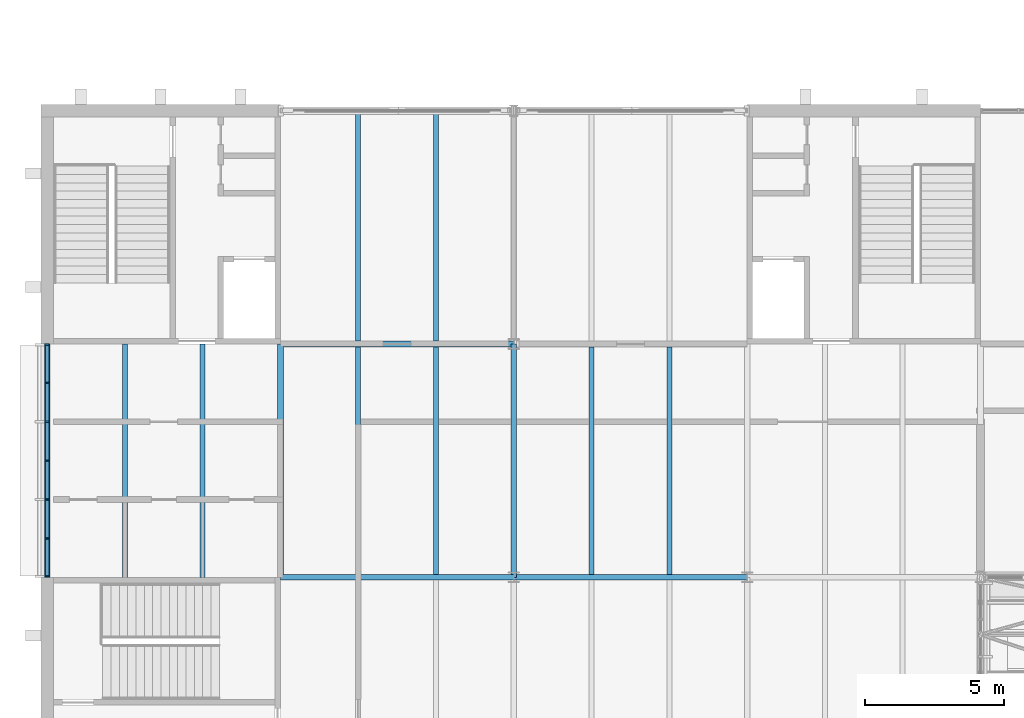
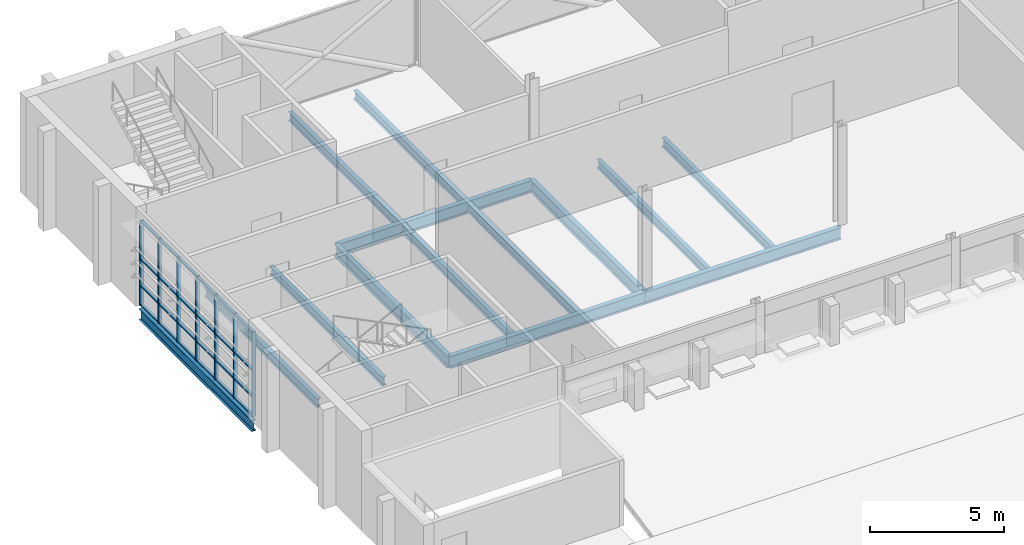
# One storey, part 39 of 121: 31 members, 14 beams, 1 element without a shape of its own.
"""IFC4 building model written with IfcOpenShell, lengths in metres."""

from ifc_helpers import new_model, si_unit, direction, frame, origin, origin_2d, place, context, subcontext, project, spatial, rectangle, i_section, extrude, material, layer, layer_set, material_profile, profile_set, type_object, element, aggregate, save


model = new_model("IFC4")

# Units and contexts
model_context = context("Model", 3, precision=1e-05, world=origin(), true_north=direction((0.0, 1.0)))
body_context = subcontext(model_context, "Body", "Model", "MODEL_VIEW")
ifc_project = project(units=[si_unit("LENGTHUNIT", "METRE"), si_unit("AREAUNIT", "SQUARE_METRE"), si_unit("VOLUMEUNIT", "CUBIC_METRE"), si_unit("PLANEANGLEUNIT", "RADIAN"), si_unit("MASSUNIT", "GRAM", prefix="KILO")], contexts=[model_context])

# Site, building, storey
site_placement = place(None, origin())
site = spatial("IfcSite", under=ifc_project, at=site_placement, CompositionType="ELEMENT")
building_placement = place(site_placement, origin())
building = spatial("IfcBuilding", under=site, at=building_placement, Name="Ardhachandra Cancer Care Centre", CompositionType="ELEMENT")
storey_placement = place(building_placement, frame((0.0, 0.0, 9.0)))
storey = spatial("IfcBuildingStorey", under=building, at=storey_placement, Name="L02", CompositionType="ELEMENT", Elevation=9.0)

# Beams
ifc_material_1 = material(Name="Steel E350 (IS 2062)", Category="steel")
ifc_material_profile_1 = material_profile(ifc_material_1, i_section(OverallWidth=0.179931640625, OverallDepth=0.39990234375, WebThickness=0.008544921875, FlangeThickness=0.013427734375, FilletRadius=0.02099609375, at=origin_2d()), Name="NPB 400x180x66.30")
ifc_profile_set_1 = profile_set([ifc_material_profile_1], Name="Steel E350 (IS 2062)")
beam_type_1 = type_object("IfcBeamType", Name="Beam NPB 400x180x66.30", PredefinedType="BEAM", material=ifc_profile_set_1)
for number, where, z_axis, x_axis, name in (
    (1, (13.60009765625, 79.800048828125, -0.35009765625), (0.0, 1.0, 0.0), (-1.0, 0.0, 0.0), "Secondary J1-K1@2800"),
    (2, (16.39990234375, 79.800048828125, -0.35009765625), (0.0, 1.0, 0.0), (-1.0, 0.0, 0.0), "Secondary J1-K1@5600"),
):
    element("IfcBeam", number, at=place(storey_placement, frame(where, z_axis=z_axis, x_axis=x_axis)), inside=storey, type_object=beam_type_1, Name=name, PredefinedType="BEAM", context=body_context, shape_type="SweptSolid", body=[
        extrude(i_section(OverallWidth=0.179931640625, OverallDepth=0.39990234375, WebThickness=0.008544921875, FlangeThickness=0.013427734375, FilletRadius=0.02099609375, at=origin_2d()), origin(), (0.0, 0.0, 1.0), 8.39990234375),
    ])
beam_1_placement = place(storey_placement, frame((22.0, 79.905029296875, -0.35009765625), z_axis=(0.0, 1.0, 0.0), x_axis=(-1.0, 0.0, 0.0)))
element("IfcBeam", 3, at=beam_1_placement, inside=storey, type_object=beam_type_1, Name="Secondary J2-K2@2800", PredefinedType="BEAM", context=body_context, shape_type="SweptSolid", body=[
    extrude(i_section(OverallWidth=0.179931640625, OverallDepth=0.39990234375, WebThickness=0.008544921875, FlangeThickness=0.013427734375, FilletRadius=0.02099609375, at=origin_2d()), origin(), (0.0, 0.0, 1.0), 8.18994140625),
])
beam_2_placement = place(storey_placement, frame((22.0, 88.304931640625, -0.35009765625), z_axis=(0.0, 1.0, 0.0), x_axis=(-1.0, 0.0, 0.0)))
element("IfcBeam", 4, at=beam_2_placement, inside=storey, type_object=beam_type_1, Name="Secondary K2-L2@2800", PredefinedType="BEAM", context=body_context, shape_type="SweptSolid", body=[
    extrude(i_section(OverallWidth=0.179931640625, OverallDepth=0.39990234375, WebThickness=0.008544921875, FlangeThickness=0.013427734375, FilletRadius=0.02099609375, at=origin_2d()), origin(), (0.0, 0.0, 1.0), 8.195068359375),
])
beam_3_placement = place(storey_placement, frame((24.800048828125, 79.905029296875, -0.35009765625), z_axis=(0.0, 1.0, 0.0), x_axis=(-1.0, 0.0, 0.0)))
element("IfcBeam", 5, at=beam_3_placement, inside=storey, type_object=beam_type_1, Name="Secondary J2-K2@5600", PredefinedType="BEAM", context=body_context, shape_type="SweptSolid", body=[
    extrude(i_section(OverallWidth=0.179931640625, OverallDepth=0.39990234375, WebThickness=0.008544921875, FlangeThickness=0.013427734375, FilletRadius=0.02099609375, at=origin_2d()), origin(), (0.0, 0.0, 1.0), 8.18994140625),
])
beam_4_placement = place(storey_placement, frame((24.800048828125, 88.304931640625, -0.35009765625), z_axis=(0.0, 1.0, 0.0), x_axis=(-1.0, 0.0, 0.0)))
element("IfcBeam", 6, at=beam_4_placement, inside=storey, type_object=beam_type_1, Name="Secondary K2-L2@5600", PredefinedType="BEAM", context=body_context, shape_type="SweptSolid", body=[
    extrude(i_section(OverallWidth=0.179931640625, OverallDepth=0.39990234375, WebThickness=0.008544921875, FlangeThickness=0.013427734375, FilletRadius=0.02099609375, at=origin_2d()), origin(), (0.0, 0.0, 1.0), 8.195068359375),
])
for number, where, z_axis, x_axis, name in (
    (7, (30.39990234375, 79.905029296875, -0.35009765625), (0.0, 1.0, 0.0), (-1.0, 0.0, 0.0), "Secondary J3-K3@2800"),
    (8, (33.199951171875, 79.905029296875, -0.35009765625), (0.0, 1.0, 0.0), (-1.0, 0.0, 0.0), "Secondary J3-K3@5600"),
):
    element("IfcBeam", number, at=place(storey_placement, frame(where, z_axis=z_axis, x_axis=x_axis)), inside=storey, type_object=beam_type_1, Name=name, PredefinedType="BEAM", context=body_context, shape_type="SweptSolid", body=[
        extrude(i_section(OverallWidth=0.179931640625, OverallDepth=0.39990234375, WebThickness=0.008544921875, FlangeThickness=0.013427734375, FilletRadius=0.02099609375, at=origin_2d()), origin(), (0.0, 0.0, 1.0), 8.18994140625),
    ])
ifc_material_2 = material(Name="Steel E350 (IS 2062)", Category="steel")
ifc_material_profile_2 = material_profile(ifc_material_2, i_section(OverallWidth=0.199951171875, OverallDepth=0.5, WebThickness=0.01025390625, FlangeThickness=0.01611328125, FilletRadius=0.02099609375, at=origin_2d()), Name="NPB 500x200x90.68")
ifc_profile_set_2 = profile_set([ifc_material_profile_2], Name="Steel E350 (IS 2062)")
beam_type_2 = type_object("IfcBeamType", Name="Beam NPB 500x200x90.68", PredefinedType="BEAM", material=ifc_profile_set_2)
beam_5_placement = place(storey_placement, frame((10.800048828125, 79.800048828125, -0.39990234375), z_axis=(0.0, 1.0, 0.0), x_axis=(-1.0, 0.0, 0.0)))
element("IfcBeam", 9, at=beam_5_placement, inside=storey, type_object=beam_type_2, Name="Edge girder J1-K1", PredefinedType="BEAM", context=body_context, shape_type="SweptSolid", body=[
    extrude(i_section(OverallWidth=0.199951171875, OverallDepth=0.5, WebThickness=0.01025390625, FlangeThickness=0.01611328125, FilletRadius=0.02099609375, at=origin_2d()), origin(), (0.0, 0.0, 1.0), 8.39990234375),
])
ifc_material_3 = material(Name="Steel E350 (IS 2062)", Category="steel")
ifc_material_profile_3 = material_profile(ifc_material_3, i_section(OverallWidth=0.2099609375, OverallDepth=0.550048828125, WebThickness=0.010986328125, FlangeThickness=0.01708984375, FilletRadius=0.02392578125, at=origin_2d()), Name="NPB 550x210x105.52")
ifc_profile_set_3 = profile_set([ifc_material_profile_3], Name="Steel E350 (IS 2062)")
beam_type_3 = type_object("IfcBeamType", Name="Beam NPB 550x210x105.52", PredefinedType="BEAM", material=ifc_profile_set_3)
beam_6_placement = place(storey_placement, frame((19.199951171875, 79.800048828125, -0.425048828125), z_axis=(1.0, 0.0, 0.0), x_axis=(0.0, 1.0, 0.0)))
element("IfcBeam", 10, at=beam_6_placement, inside=storey, type_object=beam_type_3, Name="Girder J2-J3", PredefinedType="BEAM", context=body_context, shape_type="SweptSolid", body=[
    extrude(i_section(OverallWidth=0.2099609375, OverallDepth=0.550048828125, WebThickness=0.010986328125, FlangeThickness=0.01708984375, FilletRadius=0.02392578125, at=origin_2d()), origin(), (0.0, 0.0, 1.0), 8.400146484375),
])
beam_7_placement = place(storey_placement, frame((27.60009765625, 79.800048828125, -0.425048828125), z_axis=(1.0, 0.0, 0.0), x_axis=(0.0, 1.0, 0.0)))
element("IfcBeam", 11, at=beam_7_placement, inside=storey, type_object=beam_type_3, Name="Girder J3-J4", PredefinedType="BEAM", context=body_context, shape_type="SweptSolid", body=[
    extrude(i_section(OverallWidth=0.2099609375, OverallDepth=0.550048828125, WebThickness=0.010986328125, FlangeThickness=0.01708984375, FilletRadius=0.02392578125, at=origin_2d()), origin(), (0.0, 0.0, 1.0), 8.39990234375),
])
beam_8_placement = place(storey_placement, frame((19.199951171875, 88.199951171875, -0.425048828125), z_axis=(1.0, 0.0, 0.0), x_axis=(0.0, 1.0, 0.0)))
element("IfcBeam", 12, at=beam_8_placement, inside=storey, type_object=beam_type_3, Name="Girder K2-K3", PredefinedType="BEAM", context=body_context, shape_type="SweptSolid", body=[
    extrude(i_section(OverallWidth=0.2099609375, OverallDepth=0.550048828125, WebThickness=0.010986328125, FlangeThickness=0.01708984375, FilletRadius=0.02392578125, at=origin_2d()), origin(), (0.0, 0.0, 1.0), 8.400146484375),
])
for number, where, z_axis, x_axis, name in (
    (13, (19.199951171875, 79.800048828125, -0.425048828125), (0.0, 1.0, 0.0), (-1.0, 0.0, 0.0), "Girder J2-K2"),
    (14, (27.60009765625, 79.800048828125, -0.425048828125), (0.0, 1.0, 0.0), (-1.0, 0.0, 0.0), "Girder J3-K3"),
):
    element("IfcBeam", number, at=place(storey_placement, frame(where, z_axis=z_axis, x_axis=x_axis)), inside=storey, type_object=beam_type_3, Name=name, PredefinedType="BEAM", context=body_context, shape_type="SweptSolid", body=[
        extrude(i_section(OverallWidth=0.2099609375, OverallDepth=0.550048828125, WebThickness=0.010986328125, FlangeThickness=0.01708984375, FilletRadius=0.02392578125, at=origin_2d()), origin(), (0.0, 0.0, 1.0), 8.39990234375),
    ])

# Curtain wall, members
ifc_material_4 = material(Name="Aluminium extrusion", Category="aluminium")
ifc_layer = layer(ifc_material_4, 0.14990234375)
ifc_layer_set = layer_set([ifc_layer], Name="Aluminium extrusion")
curtain_wall_type = type_object("IfcCurtainWallType", Name="Curtain wall run", PredefinedType="NOTDEFINED", material=ifc_layer_set)
curtain_wall_placement = place(storey_placement, origin())
curtain_wall = element("IfcCurtainWall", 15, at=curtain_wall_placement, inside=storey, type_object=curtain_wall_type, Name="Curtain wall L02 w/0010800_0079800", PredefinedType="NOTDEFINED")
ifc_material_5 = material(Name="Aluminium extrusion", Category="aluminium")
ifc_material_profile_4 = material_profile(ifc_material_5, rectangle(XDim=0.159912109375, YDim=0.06005859375, at=origin_2d()), Name="Curtain wall mullion 60 x 160")
ifc_profile_set_4 = profile_set([ifc_material_profile_4], Name="Aluminium extrusion")
member_type_1 = type_object("IfcMemberType", Name="Curtain wall mullion 60 x 160", PredefinedType="MULLION", material=ifc_profile_set_4)
member_1_placement = place(storey_placement, frame((10.800048828125, 79.830078125, 0.0), z_axis=(0.0, 0.0, 1.0), x_axis=(-1.0, 0.0, 0.0)))
member_1 = element("IfcMember", 16, at=member_1_placement, type_object=member_type_1, Name="CW mullion 1", PredefinedType="MULLION", context=body_context, shape_type="SweptSolid", body=[
    extrude(rectangle(XDim=0.159912109375, YDim=0.06005859375, at=origin_2d()), origin(), (0.0, 0.0, 1.0), 3.85009765625),
])
member_2_placement = place(storey_placement, frame((10.800048828125, 81.199951171875, 0.0), z_axis=(0.0, 0.0, 1.0), x_axis=(-1.0, 0.0, 0.0)))
member_2 = element("IfcMember", 17, at=member_2_placement, type_object=member_type_1, Name="CW mullion 2", PredefinedType="MULLION", context=body_context, shape_type="SweptSolid", body=[
    extrude(rectangle(XDim=0.159912109375, YDim=0.06005859375, at=origin_2d()), origin(), (0.0, 0.0, 1.0), 3.85009765625),
])
member_3_placement = place(storey_placement, frame((10.800048828125, 82.60009765625, 0.0), z_axis=(0.0, 0.0, 1.0), x_axis=(-1.0, 0.0, 0.0)))
member_3 = element("IfcMember", 18, at=member_3_placement, type_object=member_type_1, Name="CW mullion 3", PredefinedType="MULLION", context=body_context, shape_type="SweptSolid", body=[
    extrude(rectangle(XDim=0.159912109375, YDim=0.06005859375, at=origin_2d()), origin(), (0.0, 0.0, 1.0), 3.85009765625),
])
member_4_placement = place(storey_placement, frame((10.800048828125, 84.0, 0.0), z_axis=(0.0, 0.0, 1.0), x_axis=(-1.0, 0.0, 0.0)))
member_4 = element("IfcMember", 19, at=member_4_placement, type_object=member_type_1, Name="CW mullion 4", PredefinedType="MULLION", context=body_context, shape_type="SweptSolid", body=[
    extrude(rectangle(XDim=0.159912109375, YDim=0.06005859375, at=origin_2d()), origin(), (0.0, 0.0, 1.0), 3.85009765625),
])
member_5_placement = place(storey_placement, frame((10.800048828125, 85.39990234375, 0.0), z_axis=(0.0, 0.0, 1.0), x_axis=(-1.0, 0.0, 0.0)))
member_5 = element("IfcMember", 20, at=member_5_placement, type_object=member_type_1, Name="CW mullion 5", PredefinedType="MULLION", context=body_context, shape_type="SweptSolid", body=[
    extrude(rectangle(XDim=0.159912109375, YDim=0.06005859375, at=origin_2d()), origin(), (0.0, 0.0, 1.0), 3.85009765625),
])
member_6_placement = place(storey_placement, frame((10.800048828125, 86.800048828125, 0.0), z_axis=(0.0, 0.0, 1.0), x_axis=(-1.0, 0.0, 0.0)))
member_6 = element("IfcMember", 21, at=member_6_placement, type_object=member_type_1, Name="CW mullion 6", PredefinedType="MULLION", context=body_context, shape_type="SweptSolid", body=[
    extrude(rectangle(XDim=0.159912109375, YDim=0.06005859375, at=origin_2d()), origin(), (0.0, 0.0, 1.0), 3.85009765625),
])
member_7_placement = place(storey_placement, frame((10.800048828125, 88.169921875, 0.0), z_axis=(0.0, 0.0, 1.0), x_axis=(-1.0, 0.0, 0.0)))
member_7 = element("IfcMember", 22, at=member_7_placement, type_object=member_type_1, Name="CW mullion 7", PredefinedType="MULLION", context=body_context, shape_type="SweptSolid", body=[
    extrude(rectangle(XDim=0.159912109375, YDim=0.06005859375, at=origin_2d()), origin(), (0.0, 0.0, 1.0), 3.85009765625),
])
ifc_material_6 = material(Name="Aluminium extrusion", Category="aluminium")
ifc_material_profile_5 = material_profile(ifc_material_6, rectangle(XDim=0.1201171875, YDim=0.06005859375, at=origin_2d()), Name="Curtain wall transom 60 x 120")
ifc_profile_set_5 = profile_set([ifc_material_profile_5], Name="Aluminium extrusion")
member_type_2 = type_object("IfcMemberType", Name="Curtain wall transom 60 x 120", PredefinedType="USERDEFINED", material=ifc_profile_set_5)
member_8_placement = place(storey_placement, frame((10.800048828125, 79.860107421875, 0.030029296875), z_axis=(0.0, 1.0, 0.0), x_axis=(-1.0, 0.0, 0.0)))
member_8 = element("IfcMember", 23, at=member_8_placement, type_object=member_type_2, Name="CW transom 1.1", ObjectType="TRANSOM", PredefinedType="USERDEFINED", context=body_context, shape_type="SweptSolid", body=[
    extrude(rectangle(XDim=0.1201171875, YDim=0.06005859375, at=origin_2d()), origin(), (0.0, 0.0, 1.0), 1.309814453125),
])
member_9_placement = place(storey_placement, frame((10.800048828125, 79.860107421875, 0.89990234375), z_axis=(0.0, 1.0, 0.0), x_axis=(-1.0, 0.0, 0.0)))
member_9 = element("IfcMember", 24, at=member_9_placement, type_object=member_type_2, Name="CW transom 1.2", ObjectType="TRANSOM", PredefinedType="USERDEFINED", context=body_context, shape_type="SweptSolid", body=[
    extrude(rectangle(XDim=0.1201171875, YDim=0.06005859375, at=origin_2d()), origin(), (0.0, 0.0, 1.0), 1.309814453125),
])
member_10_placement = place(storey_placement, frame((10.800048828125, 79.860107421875, 2.10009765625), z_axis=(0.0, 1.0, 0.0), x_axis=(-1.0, 0.0, 0.0)))
member_10 = element("IfcMember", 25, at=member_10_placement, type_object=member_type_2, Name="CW transom 1.3", ObjectType="TRANSOM", PredefinedType="USERDEFINED", context=body_context, shape_type="SweptSolid", body=[
    extrude(rectangle(XDim=0.1201171875, YDim=0.06005859375, at=origin_2d()), origin(), (0.0, 0.0, 1.0), 1.309814453125),
])
member_11_placement = place(storey_placement, frame((10.800048828125, 79.860107421875, 3.820068359375), z_axis=(0.0, 1.0, 0.0), x_axis=(-1.0, 0.0, 0.0)))
member_11 = element("IfcMember", 26, at=member_11_placement, type_object=member_type_2, Name="CW transom 1.4", ObjectType="TRANSOM", PredefinedType="USERDEFINED", context=body_context, shape_type="SweptSolid", body=[
    extrude(rectangle(XDim=0.1201171875, YDim=0.06005859375, at=origin_2d()), origin(), (0.0, 0.0, 1.0), 1.309814453125),
])
member_12_placement = place(storey_placement, frame((10.800048828125, 81.22998046875, 0.030029296875), z_axis=(0.0, 1.0, 0.0), x_axis=(-1.0, 0.0, 0.0)))
member_12 = element("IfcMember", 27, at=member_12_placement, type_object=member_type_2, Name="CW transom 2.1", ObjectType="TRANSOM", PredefinedType="USERDEFINED", context=body_context, shape_type="SweptSolid", body=[
    extrude(rectangle(XDim=0.1201171875, YDim=0.06005859375, at=origin_2d()), origin(), (0.0, 0.0, 1.0), 1.340087890625),
])
member_13_placement = place(storey_placement, frame((10.800048828125, 81.22998046875, 0.89990234375), z_axis=(0.0, 1.0, 0.0), x_axis=(-1.0, 0.0, 0.0)))
member_13 = element("IfcMember", 28, at=member_13_placement, type_object=member_type_2, Name="CW transom 2.2", ObjectType="TRANSOM", PredefinedType="USERDEFINED", context=body_context, shape_type="SweptSolid", body=[
    extrude(rectangle(XDim=0.1201171875, YDim=0.06005859375, at=origin_2d()), origin(), (0.0, 0.0, 1.0), 1.340087890625),
])
member_14_placement = place(storey_placement, frame((10.800048828125, 81.22998046875, 2.10009765625), z_axis=(0.0, 1.0, 0.0), x_axis=(-1.0, 0.0, 0.0)))
member_14 = element("IfcMember", 29, at=member_14_placement, type_object=member_type_2, Name="CW transom 2.3", ObjectType="TRANSOM", PredefinedType="USERDEFINED", context=body_context, shape_type="SweptSolid", body=[
    extrude(rectangle(XDim=0.1201171875, YDim=0.06005859375, at=origin_2d()), origin(), (0.0, 0.0, 1.0), 1.340087890625),
])
member_15_placement = place(storey_placement, frame((10.800048828125, 81.22998046875, 3.820068359375), z_axis=(0.0, 1.0, 0.0), x_axis=(-1.0, 0.0, 0.0)))
member_15 = element("IfcMember", 30, at=member_15_placement, type_object=member_type_2, Name="CW transom 2.4", ObjectType="TRANSOM", PredefinedType="USERDEFINED", context=body_context, shape_type="SweptSolid", body=[
    extrude(rectangle(XDim=0.1201171875, YDim=0.06005859375, at=origin_2d()), origin(), (0.0, 0.0, 1.0), 1.340087890625),
])
member_16_placement = place(storey_placement, frame((10.800048828125, 82.6298828125, 0.030029296875), z_axis=(0.0, 1.0, 0.0), x_axis=(-1.0, 0.0, 0.0)))
member_16 = element("IfcMember", 31, at=member_16_placement, type_object=member_type_2, Name="CW transom 3.1", ObjectType="TRANSOM", PredefinedType="USERDEFINED", context=body_context, shape_type="SweptSolid", body=[
    extrude(rectangle(XDim=0.1201171875, YDim=0.06005859375, at=origin_2d()), origin(), (0.0, 0.0, 1.0), 1.340087890625),
])
member_17_placement = place(storey_placement, frame((10.800048828125, 82.6298828125, 0.89990234375), z_axis=(0.0, 1.0, 0.0), x_axis=(-1.0, 0.0, 0.0)))
member_17 = element("IfcMember", 32, at=member_17_placement, type_object=member_type_2, Name="CW transom 3.2", ObjectType="TRANSOM", PredefinedType="USERDEFINED", context=body_context, shape_type="SweptSolid", body=[
    extrude(rectangle(XDim=0.1201171875, YDim=0.06005859375, at=origin_2d()), origin(), (0.0, 0.0, 1.0), 1.340087890625),
])
member_18_placement = place(storey_placement, frame((10.800048828125, 82.6298828125, 2.10009765625), z_axis=(0.0, 1.0, 0.0), x_axis=(-1.0, 0.0, 0.0)))
member_18 = element("IfcMember", 33, at=member_18_placement, type_object=member_type_2, Name="CW transom 3.3", ObjectType="TRANSOM", PredefinedType="USERDEFINED", context=body_context, shape_type="SweptSolid", body=[
    extrude(rectangle(XDim=0.1201171875, YDim=0.06005859375, at=origin_2d()), origin(), (0.0, 0.0, 1.0), 1.340087890625),
])
member_19_placement = place(storey_placement, frame((10.800048828125, 82.6298828125, 3.820068359375), z_axis=(0.0, 1.0, 0.0), x_axis=(-1.0, 0.0, 0.0)))
member_19 = element("IfcMember", 34, at=member_19_placement, type_object=member_type_2, Name="CW transom 3.4", ObjectType="TRANSOM", PredefinedType="USERDEFINED", context=body_context, shape_type="SweptSolid", body=[
    extrude(rectangle(XDim=0.1201171875, YDim=0.06005859375, at=origin_2d()), origin(), (0.0, 0.0, 1.0), 1.340087890625),
])
member_20_placement = place(storey_placement, frame((10.800048828125, 84.030029296875, 0.030029296875), z_axis=(0.0, 1.0, 0.0), x_axis=(-1.0, 0.0, 0.0)))
member_20 = element("IfcMember", 35, at=member_20_placement, type_object=member_type_2, Name="CW transom 4.1", ObjectType="TRANSOM", PredefinedType="USERDEFINED", context=body_context, shape_type="SweptSolid", body=[
    extrude(rectangle(XDim=0.1201171875, YDim=0.06005859375, at=origin_2d()), origin(), (0.0, 0.0, 1.0), 1.340087890625),
])
member_21_placement = place(storey_placement, frame((10.800048828125, 84.030029296875, 0.89990234375), z_axis=(0.0, 1.0, 0.0), x_axis=(-1.0, 0.0, 0.0)))
member_21 = element("IfcMember", 36, at=member_21_placement, type_object=member_type_2, Name="CW transom 4.2", ObjectType="TRANSOM", PredefinedType="USERDEFINED", context=body_context, shape_type="SweptSolid", body=[
    extrude(rectangle(XDim=0.1201171875, YDim=0.06005859375, at=origin_2d()), origin(), (0.0, 0.0, 1.0), 1.340087890625),
])
member_22_placement = place(storey_placement, frame((10.800048828125, 84.030029296875, 2.10009765625), z_axis=(0.0, 1.0, 0.0), x_axis=(-1.0, 0.0, 0.0)))
member_22 = element("IfcMember", 37, at=member_22_placement, type_object=member_type_2, Name="CW transom 4.3", ObjectType="TRANSOM", PredefinedType="USERDEFINED", context=body_context, shape_type="SweptSolid", body=[
    extrude(rectangle(XDim=0.1201171875, YDim=0.06005859375, at=origin_2d()), origin(), (0.0, 0.0, 1.0), 1.340087890625),
])
member_23_placement = place(storey_placement, frame((10.800048828125, 84.030029296875, 3.820068359375), z_axis=(0.0, 1.0, 0.0), x_axis=(-1.0, 0.0, 0.0)))
member_23 = element("IfcMember", 38, at=member_23_placement, type_object=member_type_2, Name="CW transom 4.4", ObjectType="TRANSOM", PredefinedType="USERDEFINED", context=body_context, shape_type="SweptSolid", body=[
    extrude(rectangle(XDim=0.1201171875, YDim=0.06005859375, at=origin_2d()), origin(), (0.0, 0.0, 1.0), 1.340087890625),
])
member_24_placement = place(storey_placement, frame((10.800048828125, 85.429931640625, 0.030029296875), z_axis=(0.0, 1.0, 0.0), x_axis=(-1.0, 0.0, 0.0)))
member_24 = element("IfcMember", 39, at=member_24_placement, type_object=member_type_2, Name="CW transom 5.1", ObjectType="TRANSOM", PredefinedType="USERDEFINED", context=body_context, shape_type="SweptSolid", body=[
    extrude(rectangle(XDim=0.1201171875, YDim=0.06005859375, at=origin_2d()), origin(), (0.0, 0.0, 1.0), 1.340087890625),
])
member_25_placement = place(storey_placement, frame((10.800048828125, 85.429931640625, 0.89990234375), z_axis=(0.0, 1.0, 0.0), x_axis=(-1.0, 0.0, 0.0)))
member_25 = element("IfcMember", 40, at=member_25_placement, type_object=member_type_2, Name="CW transom 5.2", ObjectType="TRANSOM", PredefinedType="USERDEFINED", context=body_context, shape_type="SweptSolid", body=[
    extrude(rectangle(XDim=0.1201171875, YDim=0.06005859375, at=origin_2d()), origin(), (0.0, 0.0, 1.0), 1.340087890625),
])
member_26_placement = place(storey_placement, frame((10.800048828125, 85.429931640625, 2.10009765625), z_axis=(0.0, 1.0, 0.0), x_axis=(-1.0, 0.0, 0.0)))
member_26 = element("IfcMember", 41, at=member_26_placement, type_object=member_type_2, Name="CW transom 5.3", ObjectType="TRANSOM", PredefinedType="USERDEFINED", context=body_context, shape_type="SweptSolid", body=[
    extrude(rectangle(XDim=0.1201171875, YDim=0.06005859375, at=origin_2d()), origin(), (0.0, 0.0, 1.0), 1.340087890625),
])
member_27_placement = place(storey_placement, frame((10.800048828125, 85.429931640625, 3.820068359375), z_axis=(0.0, 1.0, 0.0), x_axis=(-1.0, 0.0, 0.0)))
member_27 = element("IfcMember", 42, at=member_27_placement, type_object=member_type_2, Name="CW transom 5.4", ObjectType="TRANSOM", PredefinedType="USERDEFINED", context=body_context, shape_type="SweptSolid", body=[
    extrude(rectangle(XDim=0.1201171875, YDim=0.06005859375, at=origin_2d()), origin(), (0.0, 0.0, 1.0), 1.340087890625),
])
member_28_placement = place(storey_placement, frame((10.800048828125, 86.830078125, 0.030029296875), z_axis=(0.0, 1.0, 0.0), x_axis=(-1.0, 0.0, 0.0)))
member_28 = element("IfcMember", 43, at=member_28_placement, type_object=member_type_2, Name="CW transom 6.1", ObjectType="TRANSOM", PredefinedType="USERDEFINED", context=body_context, shape_type="SweptSolid", body=[
    extrude(rectangle(XDim=0.1201171875, YDim=0.06005859375, at=origin_2d()), origin(), (0.0, 0.0, 1.0), 1.309814453125),
])
member_29_placement = place(storey_placement, frame((10.800048828125, 86.830078125, 0.89990234375), z_axis=(0.0, 1.0, 0.0), x_axis=(-1.0, 0.0, 0.0)))
member_29 = element("IfcMember", 44, at=member_29_placement, type_object=member_type_2, Name="CW transom 6.2", ObjectType="TRANSOM", PredefinedType="USERDEFINED", context=body_context, shape_type="SweptSolid", body=[
    extrude(rectangle(XDim=0.1201171875, YDim=0.06005859375, at=origin_2d()), origin(), (0.0, 0.0, 1.0), 1.309814453125),
])
member_30_placement = place(storey_placement, frame((10.800048828125, 86.830078125, 2.10009765625), z_axis=(0.0, 1.0, 0.0), x_axis=(-1.0, 0.0, 0.0)))
member_30 = element("IfcMember", 45, at=member_30_placement, type_object=member_type_2, Name="CW transom 6.3", ObjectType="TRANSOM", PredefinedType="USERDEFINED", context=body_context, shape_type="SweptSolid", body=[
    extrude(rectangle(XDim=0.1201171875, YDim=0.06005859375, at=origin_2d()), origin(), (0.0, 0.0, 1.0), 1.309814453125),
])
member_31_placement = place(storey_placement, frame((10.800048828125, 86.830078125, 3.820068359375), z_axis=(0.0, 1.0, 0.0), x_axis=(-1.0, 0.0, 0.0)))
member_31 = element("IfcMember", 46, at=member_31_placement, type_object=member_type_2, Name="CW transom 6.4", ObjectType="TRANSOM", PredefinedType="USERDEFINED", context=body_context, shape_type="SweptSolid", body=[
    extrude(rectangle(XDim=0.1201171875, YDim=0.06005859375, at=origin_2d()), origin(), (0.0, 0.0, 1.0), 1.309814453125),
])
aggregate(curtain_wall, [member_1, member_2, member_3, member_4, member_5, member_6, member_7, member_8, member_9, member_10, member_11, member_12, member_13, member_14, member_15, member_16, member_17, member_18, member_19, member_20, member_21, member_22, member_23, member_24, member_25, member_26, member_27, member_28, member_29, member_30, member_31])

save(model, "model.ifc")
